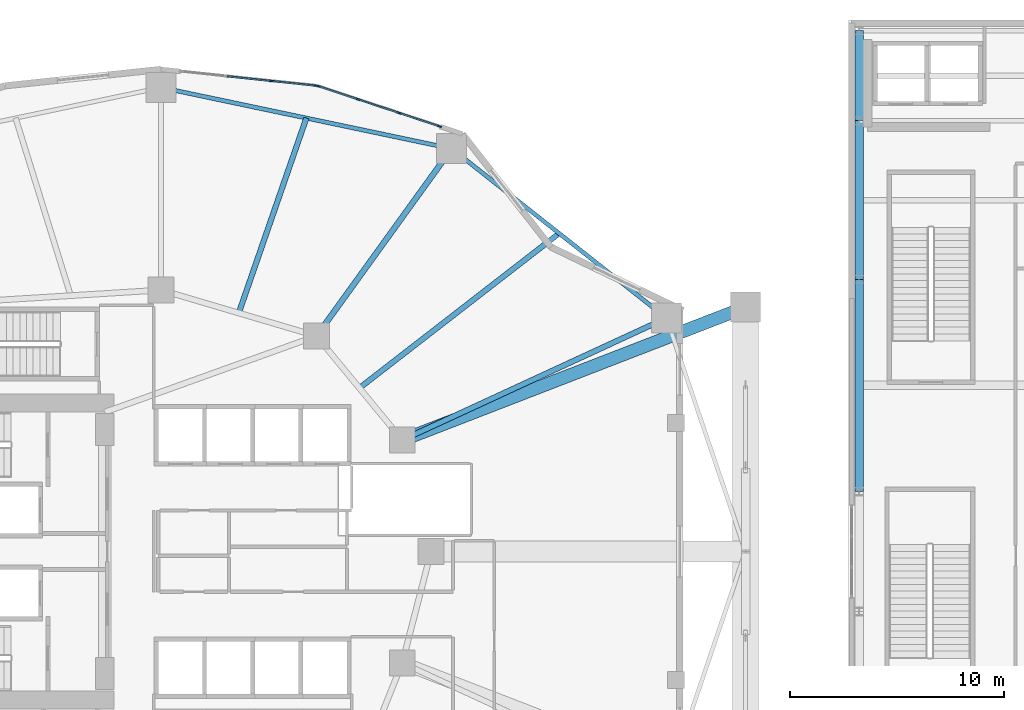
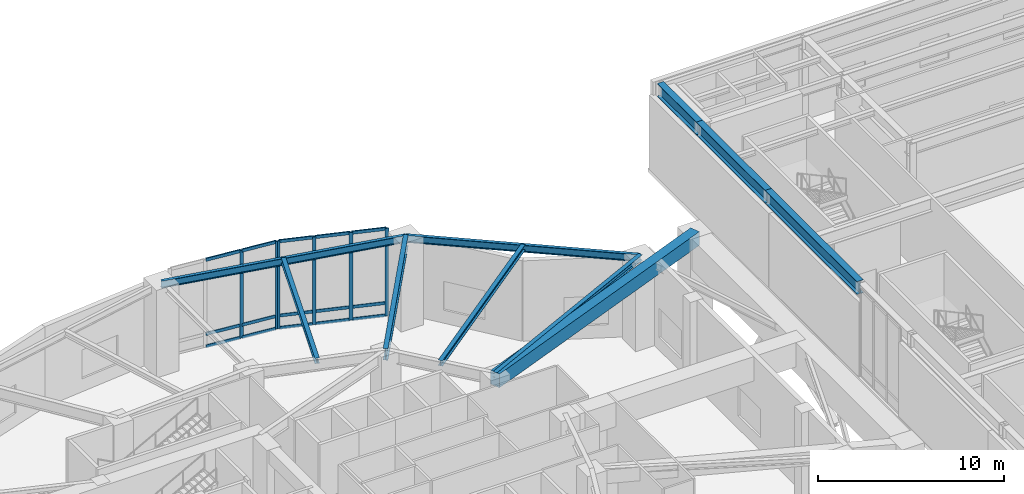
# One storey, part 9 of 25: 21 members, 10 beams, 2 elements without a shape of their own.
"""IFC4 building model written with IfcOpenShell, lengths in metres."""

from ifc_helpers import new_model, si_unit, direction, frame, origin, origin_2d, place, context, subcontext, project, spatial, rectangle, i_section, extrude, material, layer, layer_set, material_profile, profile_set, type_object, element, aggregate, save


model = new_model("IFC4")

# Units and contexts
model_context = context("Model", 3, precision=1e-05, world=origin(), true_north=direction((0.0, 1.0)))
body_context = subcontext(model_context, "Body", "Model", "MODEL_VIEW")
ifc_project = project(units=[si_unit("LENGTHUNIT", "METRE"), si_unit("AREAUNIT", "SQUARE_METRE"), si_unit("VOLUMEUNIT", "CUBIC_METRE"), si_unit("PLANEANGLEUNIT", "RADIAN"), si_unit("MASSUNIT", "GRAM", prefix="KILO")], contexts=[model_context])

# Site, building, storey
site_placement = place(None, origin())
site = spatial("IfcSite", under=ifc_project, at=site_placement, CompositionType="ELEMENT")
building_placement = place(site_placement, origin())
building = spatial("IfcBuilding", under=site, at=building_placement, Name="Kolvaren Gate Tower and Convention Centre", CompositionType="ELEMENT")
storey_placement = place(building_placement, frame((0.0, 0.0, 15.0)))
storey = spatial("IfcBuildingStorey", under=building, at=storey_placement, Name="L03", CompositionType="ELEMENT", Elevation=15.0)

# Curtain wall, members
ifc_material_1 = material(Name="Anodized Architectural Aluminium Alloy 6063-T6", Category="aluminium")
ifc_layer = layer(ifc_material_1, 0.179931640625)
ifc_layer_set = layer_set([ifc_layer], Name="Anodized Architectural Aluminium Alloy 6063-T6")
curtain_wall_type = type_object("IfcCurtainWallType", Name="CW-POD-GLZ", PredefinedType="NOTDEFINED", material=ifc_layer_set)
curtain_wall_1_placement = place(storey_placement, origin())
curtain_wall_1 = element("IfcCurtainWall", 1, at=curtain_wall_1_placement, inside=storey, type_object=curtain_wall_type, Name="Tower L03 Unitised Curtain Wall CW-POD-GLZ Bay 04", PredefinedType="NOTDEFINED")
ifc_material_profile_1 = material_profile(ifc_material_1, rectangle(XDim=0.074951171875, YDim=0.199951171875, at=origin_2d()), Name="CW-MEM-MUL-200")
ifc_profile_set_1 = profile_set([ifc_material_profile_1], Name="Anodized Architectural Aluminium Alloy 6063-T6")
member_type_1 = type_object("IfcMemberType", Name="CW-MEM-MUL-200", PredefinedType="MULLION", material=ifc_profile_set_1)
member_1_placement = place(storey_placement, frame((37.43994140625, 48.721435546875, 0.0), z_axis=(0.0, 0.0, 1.0), x_axis=(0.314541602786, 0.949243688479, 0.0)))
member_1 = element("IfcMember", 2, at=member_1_placement, type_object=member_type_1, Name="CW-01 mullion 1", PredefinedType="MULLION", context=body_context, shape_type="SweptSolid", body=[
    extrude(rectangle(XDim=0.074951171875, YDim=0.199951171875, at=origin_2d()), origin(), (0.0, 0.0, 1.0), 5.760009765625),
])
member_2_placement = place(storey_placement, frame((39.31884765625, 48.098876953125, 0.0), z_axis=(0.0, 0.0, 1.0), x_axis=(0.314541602786, 0.949243688479, 0.0)))
member_2 = element("IfcMember", 3, at=member_2_placement, type_object=member_type_1, Name="CW-01 mullion 2", PredefinedType="MULLION", context=body_context, shape_type="SweptSolid", body=[
    extrude(rectangle(XDim=0.074951171875, YDim=0.199951171875, at=origin_2d()), origin(), (0.0, 0.0, 1.0), 5.760009765625),
])
member_3_placement = place(storey_placement, frame((41.233642578125, 47.46435546875, 0.0), z_axis=(0.0, 0.0, 1.0), x_axis=(0.314541602786, 0.949243688479, 0.0)))
member_3 = element("IfcMember", 4, at=member_3_placement, type_object=member_type_1, Name="CW-01 mullion 3", PredefinedType="MULLION", context=body_context, shape_type="SweptSolid", body=[
    extrude(rectangle(XDim=0.074951171875, YDim=0.199951171875, at=origin_2d()), origin(), (0.0, 0.0, 1.0), 5.760009765625),
])
member_4_placement = place(storey_placement, frame((43.112548828125, 46.841796875, 0.0), z_axis=(0.0, 0.0, 1.0), x_axis=(0.314541602786, 0.949243688479, 0.0)))
member_4 = element("IfcMember", 5, at=member_4_placement, type_object=member_type_1, Name="CW-01 mullion 4", PredefinedType="MULLION", context=body_context, shape_type="SweptSolid", body=[
    extrude(rectangle(XDim=0.074951171875, YDim=0.199951171875, at=origin_2d()), origin(), (0.0, 0.0, 1.0), 5.760009765625),
])

curtain_wall_2_placement = place(storey_placement, origin())
curtain_wall_2 = element("IfcCurtainWall", 6, at=curtain_wall_2_placement, inside=storey, type_object=curtain_wall_type, Name="Tower L03 Unitised Curtain Wall CW-POD-GLZ Bay 05", PredefinedType="NOTDEFINED")
member_5_placement = place(storey_placement, frame((35.285888671875, 48.95654296875, 0.0), z_axis=(0.0, 0.0, 1.0), x_axis=(0.104748319841, 0.994498762941, 0.0)))
member_5 = element("IfcMember", 7, at=member_5_placement, type_object=member_type_1, Name="CW-01 mullion 3", PredefinedType="MULLION", context=body_context, shape_type="SweptSolid", body=[
    extrude(rectangle(XDim=0.074951171875, YDim=0.199951171875, at=origin_2d()), origin(), (0.0, 0.0, 1.0), 5.760009765625),
])
member_6_placement = place(storey_placement, frame((37.366943359375, 48.7373046875, 0.0), z_axis=(0.0, 0.0, 1.0), x_axis=(0.104748319841, 0.994498762941, 0.0)))
member_6 = element("IfcMember", 8, at=member_6_placement, type_object=member_type_1, Name="CW-01 mullion 4", PredefinedType="MULLION", context=body_context, shape_type="SweptSolid", body=[
    extrude(rectangle(XDim=0.074951171875, YDim=0.199951171875, at=origin_2d()), origin(), (0.0, 0.0, 1.0), 5.760009765625),
])

# Member
ifc_material_profile_2 = material_profile(ifc_material_1, rectangle(XDim=0.074951171875, YDim=0.199951171875, at=origin_2d()), Name="CW-MEM-TRN-200")
ifc_profile_set_2 = profile_set([ifc_material_profile_2], Name="Anodized Architectural Aluminium Alloy 6063-T6")
member_type_2 = type_object("IfcMemberType", Name="CW-MEM-TRN-200", PredefinedType="USERDEFINED", material=ifc_profile_set_2)
member_7_placement = place(storey_placement, frame((37.4755859375, 48.709716796875, 0.03759765625), z_axis=(0.949233065789, -0.314573658804, 0.0), x_axis=(0.314573658804, 0.949233065789, 0.0)))
member_7 = element("IfcMember", 9, at=member_7_placement, type_object=member_type_2, Name="CW-01 transom 1.1", ObjectType="TRANSOM", PredefinedType="USERDEFINED", context=body_context, shape_type="SweptSolid", body=[
    extrude(rectangle(XDim=0.074951171875, YDim=0.199951171875, at=origin_2d()), origin(), (0.0, 0.0, 1.0), 1.904541015625),
])

member_8_placement = place(storey_placement, frame((37.4755859375, 48.709716796875, 0.85009765625), z_axis=(0.949233065789, -0.314573658804, 0.0), x_axis=(0.314573658804, 0.949233065789, 0.0)))
member_8 = element("IfcMember", 10, at=member_8_placement, type_object=member_type_2, Name="CW-01 transom 1.2", ObjectType="TRANSOM", PredefinedType="USERDEFINED", context=body_context, shape_type="SweptSolid", body=[
    extrude(rectangle(XDim=0.074951171875, YDim=0.199951171875, at=origin_2d()), origin(), (0.0, 0.0, 1.0), 1.904541015625),
])

member_9_placement = place(storey_placement, frame((37.4755859375, 48.709716796875, 5.722412109375), z_axis=(0.949233065789, -0.314573658804, 0.0), x_axis=(0.314573658804, 0.949233065789, 0.0)))
member_9 = element("IfcMember", 11, at=member_9_placement, type_object=member_type_2, Name="CW-01 transom 1.3", ObjectType="TRANSOM", PredefinedType="USERDEFINED", context=body_context, shape_type="SweptSolid", body=[
    extrude(rectangle(XDim=0.074951171875, YDim=0.199951171875, at=origin_2d()), origin(), (0.0, 0.0, 1.0), 1.904541015625),
])

member_10_placement = place(storey_placement, frame((39.3544921875, 48.087158203125, 0.03759765625), z_axis=(0.949247481786, -0.314530154871, 0.0), x_axis=(0.314530154871, 0.949247481786, 0.0)))
member_10 = element("IfcMember", 12, at=member_10_placement, type_object=member_type_2, Name="CW-01 transom 2.1", ObjectType="TRANSOM", PredefinedType="USERDEFINED", context=body_context, shape_type="SweptSolid", body=[
    extrude(rectangle(XDim=0.074951171875, YDim=0.199951171875, at=origin_2d()), origin(), (0.0, 0.0, 1.0), 1.942138671875),
])

member_11_placement = place(storey_placement, frame((39.3544921875, 48.087158203125, 0.85009765625), z_axis=(0.949247481786, -0.314530154871, 0.0), x_axis=(0.314530154871, 0.949247481786, 0.0)))
member_11 = element("IfcMember", 13, at=member_11_placement, type_object=member_type_2, Name="CW-01 transom 2.2", ObjectType="TRANSOM", PredefinedType="USERDEFINED", context=body_context, shape_type="SweptSolid", body=[
    extrude(rectangle(XDim=0.074951171875, YDim=0.199951171875, at=origin_2d()), origin(), (0.0, 0.0, 1.0), 1.942138671875),
])

member_12_placement = place(storey_placement, frame((39.3544921875, 48.087158203125, 5.722412109375), z_axis=(0.949247481786, -0.314530154871, 0.0), x_axis=(0.314530154871, 0.949247481786, 0.0)))
member_12 = element("IfcMember", 14, at=member_12_placement, type_object=member_type_2, Name="CW-01 transom 2.3", ObjectType="TRANSOM", PredefinedType="USERDEFINED", context=body_context, shape_type="SweptSolid", body=[
    extrude(rectangle(XDim=0.074951171875, YDim=0.199951171875, at=origin_2d()), origin(), (0.0, 0.0, 1.0), 1.942138671875),
])

member_13_placement = place(storey_placement, frame((41.26904296875, 47.45263671875, 0.03759765625), z_axis=(0.949233065789, -0.314573658804, 0.0), x_axis=(0.314573658804, 0.949233065789, 0.0)))
member_13 = element("IfcMember", 15, at=member_13_placement, type_object=member_type_2, Name="CW-01 transom 3.1", ObjectType="TRANSOM", PredefinedType="USERDEFINED", context=body_context, shape_type="SweptSolid", body=[
    extrude(rectangle(XDim=0.074951171875, YDim=0.199951171875, at=origin_2d()), origin(), (0.0, 0.0, 1.0), 1.904541015625),
])

member_14_placement = place(storey_placement, frame((41.26904296875, 47.45263671875, 0.85009765625), z_axis=(0.949233065789, -0.314573658804, 0.0), x_axis=(0.314573658804, 0.949233065789, 0.0)))
member_14 = element("IfcMember", 16, at=member_14_placement, type_object=member_type_2, Name="CW-01 transom 3.2", ObjectType="TRANSOM", PredefinedType="USERDEFINED", context=body_context, shape_type="SweptSolid", body=[
    extrude(rectangle(XDim=0.074951171875, YDim=0.199951171875, at=origin_2d()), origin(), (0.0, 0.0, 1.0), 1.904541015625),
])

member_15_placement = place(storey_placement, frame((41.26904296875, 47.45263671875, 5.722412109375), z_axis=(0.949233065789, -0.314573658804, 0.0), x_axis=(0.314573658804, 0.949233065789, 0.0)))
member_15 = element("IfcMember", 17, at=member_15_placement, type_object=member_type_2, Name="CW-01 transom 3.3", ObjectType="TRANSOM", PredefinedType="USERDEFINED", context=body_context, shape_type="SweptSolid", body=[
    extrude(rectangle(XDim=0.074951171875, YDim=0.199951171875, at=origin_2d()), origin(), (0.0, 0.0, 1.0), 1.904541015625),
])

aggregate(curtain_wall_1, [member_1, member_2, member_3, member_4, member_7, member_8, member_9, member_10, member_11, member_12, member_13, member_14, member_15])

member_16_placement = place(storey_placement, frame((33.20458984375, 49.175537109375, 0.03759765625), z_axis=(0.994508706958, -0.104653866559, 0.0), x_axis=(0.104653866559, 0.994508706958, 0.0)))
member_16 = element("IfcMember", 18, at=member_16_placement, type_object=member_type_2, Name="CW-01 transom 2.1", ObjectType="TRANSOM", PredefinedType="USERDEFINED", context=body_context, shape_type="SweptSolid", body=[
    extrude(rectangle(XDim=0.074951171875, YDim=0.199951171875, at=origin_2d()), origin(), (0.0, 0.0, 1.0), 2.05517578125),
])

member_17_placement = place(storey_placement, frame((33.20458984375, 49.175537109375, 0.85009765625), z_axis=(0.994508706958, -0.104653866559, 0.0), x_axis=(0.104653866559, 0.994508706958, 0.0)))
member_17 = element("IfcMember", 19, at=member_17_placement, type_object=member_type_2, Name="CW-01 transom 2.2", ObjectType="TRANSOM", PredefinedType="USERDEFINED", context=body_context, shape_type="SweptSolid", body=[
    extrude(rectangle(XDim=0.074951171875, YDim=0.199951171875, at=origin_2d()), origin(), (0.0, 0.0, 1.0), 2.05517578125),
])

member_18_placement = place(storey_placement, frame((33.20458984375, 49.175537109375, 5.722412109375), z_axis=(0.994508706958, -0.104653866559, 0.0), x_axis=(0.104653866559, 0.994508706958, 0.0)))
member_18 = element("IfcMember", 20, at=member_18_placement, type_object=member_type_2, Name="CW-01 transom 2.3", ObjectType="TRANSOM", PredefinedType="USERDEFINED", context=body_context, shape_type="SweptSolid", body=[
    extrude(rectangle(XDim=0.074951171875, YDim=0.199951171875, at=origin_2d()), origin(), (0.0, 0.0, 1.0), 2.05517578125),
])

member_19_placement = place(storey_placement, frame((35.3232421875, 48.952392578125, 0.03759765625), z_axis=(0.9945074418, -0.104665888448, 0.0), x_axis=(0.104665888448, 0.9945074418, 0.0)))
member_19 = element("IfcMember", 21, at=member_19_placement, type_object=member_type_2, Name="CW-01 transom 3.1", ObjectType="TRANSOM", PredefinedType="USERDEFINED", context=body_context, shape_type="SweptSolid", body=[
    extrude(rectangle(XDim=0.074951171875, YDim=0.199951171875, at=origin_2d()), origin(), (0.0, 0.0, 1.0), 2.017578125),
])

member_20_placement = place(storey_placement, frame((35.3232421875, 48.952392578125, 0.85009765625), z_axis=(0.9945074418, -0.104665888448, 0.0), x_axis=(0.104665888448, 0.9945074418, 0.0)))
member_20 = element("IfcMember", 22, at=member_20_placement, type_object=member_type_2, Name="CW-01 transom 3.2", ObjectType="TRANSOM", PredefinedType="USERDEFINED", context=body_context, shape_type="SweptSolid", body=[
    extrude(rectangle(XDim=0.074951171875, YDim=0.199951171875, at=origin_2d()), origin(), (0.0, 0.0, 1.0), 2.017578125),
])

member_21_placement = place(storey_placement, frame((35.3232421875, 48.952392578125, 5.722412109375), z_axis=(0.9945074418, -0.104665888448, 0.0), x_axis=(0.104665888448, 0.9945074418, 0.0)))
member_21 = element("IfcMember", 23, at=member_21_placement, type_object=member_type_2, Name="CW-01 transom 3.3", ObjectType="TRANSOM", PredefinedType="USERDEFINED", context=body_context, shape_type="SweptSolid", body=[
    extrude(rectangle(XDim=0.074951171875, YDim=0.199951171875, at=origin_2d()), origin(), (0.0, 0.0, 1.0), 2.017578125),
])

aggregate(curtain_wall_2, [member_5, member_6, member_16, member_17, member_18, member_19, member_20, member_21])

# Beams
ifc_material_2 = material(Name="Structural steel ASTM A992 Grade 345 MPa", Category="steel")
ifc_material_profile_3 = material_profile(ifc_material_2, i_section(OverallWidth=0.26806640625, OverallDepth=0.758056640625, WebThickness=0.016357421875, FlangeThickness=0.025390625, at=origin_2d()), Name="W760X220")
ifc_profile_set_3 = profile_set([ifc_material_profile_3], Name="Structural steel ASTM A992 Grade 345 MPa")
beam_type_1 = type_object("IfcBeamType", Name="STR-BM-W760X220", PredefinedType="BEAM", material=ifc_profile_set_3)
beam_1_placement = place(storey_placement, frame((37.381591796875, 37.054931640625, 5.381103515625), z_axis=(0.585205244783, 0.81088520857, 0.0), x_axis=(-0.81088520857, 0.585205244783, 0.0)))
element("IfcBeam", 24, at=beam_1_placement, inside=storey, type_object=beam_type_1, Name="Tower L03 Radial Floor Girder RB-03", PredefinedType="BEAM", context=body_context, shape_type="SweptSolid", body=[
    extrude(i_section(OverallWidth=0.26806640625, OverallDepth=0.758056640625, WebThickness=0.016357421875, FlangeThickness=0.025390625, at=origin_2d()), origin(), (0.0, 0.0, 1.0), 10.780029296875),
])
ifc_material_profile_4 = material_profile(ifc_material_2, i_section(OverallWidth=0.39990234375, OverallDepth=0.85498046875, WebThickness=0.018310546875, FlangeThickness=0.029296875, at=origin_2d()), Name="W840X299")
ifc_profile_set_4 = profile_set([ifc_material_profile_4], Name="Structural steel ASTM A992 Grade 345 MPa")
beam_type_2 = type_object("IfcBeamType", Name="STR-BM-W840X299", PredefinedType="BEAM", material=ifc_profile_set_4)
beam_2_placement = place(storey_placement, frame((62.699951171875, 29.800048828125, 5.33251953125), z_axis=(0.0, 1.0, 0.0), x_axis=(-1.0, 0.0, 0.0)))
element("IfcBeam", 25, at=beam_2_placement, inside=storey, type_object=beam_type_2, Name="Convention L03 Longitudinal Girder CG-15", PredefinedType="BEAM", context=body_context, shape_type="SweptSolid", body=[
    extrude(i_section(OverallWidth=0.39990234375, OverallDepth=0.85498046875, WebThickness=0.018310546875, FlangeThickness=0.029296875, at=origin_2d()), origin(), (0.0, 0.0, 1.0), 9.89990234375),
])
beam_3_placement = place(storey_placement, frame((62.699951171875, 39.699951171875, 5.33251953125), z_axis=(0.0, 1.0, 0.0), x_axis=(-1.0, 0.0, 0.0)))
element("IfcBeam", 26, at=beam_3_placement, inside=storey, type_object=beam_type_2, Name="Convention L03 Longitudinal Girder CG-16", PredefinedType="BEAM", context=body_context, shape_type="SweptSolid", body=[
    extrude(i_section(OverallWidth=0.39990234375, OverallDepth=0.85498046875, WebThickness=0.018310546875, FlangeThickness=0.029296875, at=origin_2d()), origin(), (0.0, 0.0, 1.0), 7.400146484375),
])
beam_4_placement = place(storey_placement, frame((62.699951171875, 47.10009765625, 5.33251953125), z_axis=(0.0, 1.0, 0.0), x_axis=(-1.0, 0.0, 0.0)))
element("IfcBeam", 27, at=beam_4_placement, inside=storey, type_object=beam_type_2, Name="Convention L03 Longitudinal Girder CG-17", PredefinedType="BEAM", context=body_context, shape_type="SweptSolid", body=[
    extrude(i_section(OverallWidth=0.39990234375, OverallDepth=0.85498046875, WebThickness=0.018310546875, FlangeThickness=0.029296875, at=origin_2d()), origin(), (0.0, 0.0, 1.0), 4.199951171875),
])
ifc_material_profile_5 = material_profile(ifc_material_2, i_section(OverallWidth=0.2548828125, OverallDepth=0.35693359375, WebThickness=0.010498046875, FlangeThickness=0.018310546875, at=origin_2d()), Name="W360X101")
ifc_profile_set_5 = profile_set([ifc_material_profile_5], Name="Structural steel ASTM A992 Grade 345 MPa")
beam_type_3 = type_object("IfcBeamType", Name="STR-JS-W360X101", PredefinedType="JOIST", material=ifc_profile_set_5)
beam_5_placement = place(storey_placement, frame((41.382080078125, 32.199462890625, 5.58154296875), z_axis=(0.907842006347, 0.419312403241, 0.0), x_axis=(-0.419312403241, 0.907842006347, 0.0)))
element("IfcBeam", 28, at=beam_5_placement, inside=storey, type_object=beam_type_3, Name="Tower L03 Radial Floor Girder RB-02", PredefinedType="JOIST", context=body_context, shape_type="SweptSolid", body=[
    extrude(i_section(OverallWidth=0.2548828125, OverallDepth=0.35693359375, WebThickness=0.010498046875, FlangeThickness=0.018310546875, at=origin_2d()), origin(), (0.0, 0.0, 1.0), 13.57958984375),
])
beam_6_placement = place(storey_placement, frame((39.3818359375, 34.627197265625, 5.58154296875), z_axis=(0.790577493994, 0.612362005671, 0.0), x_axis=(-0.612362005671, 0.790577493994, 0.0)))
element("IfcBeam", 29, at=beam_6_placement, inside=storey, type_object=beam_type_3, Name="Tower L03 Secondary Composite Floor Joist J-02.1", PredefinedType="JOIST", context=body_context, shape_type="SweptSolid", body=[
    extrude(i_section(OverallWidth=0.2548828125, OverallDepth=0.35693359375, WebThickness=0.010498046875, FlangeThickness=0.018310546875, at=origin_2d()), origin(), (0.0, 0.0, 1.0), 11.786865234375),
])
beam_7_placement = place(storey_placement, frame((33.75341796875, 38.12744140625, 5.58154296875), z_axis=(0.327647050942, 0.944800195813, 0.0), x_axis=(-0.944800195813, 0.327647050942, 0.0)))
element("IfcBeam", 30, at=beam_7_placement, inside=storey, type_object=beam_type_3, Name="Tower L03 Secondary Composite Floor Joist J-03.1", PredefinedType="JOIST", context=body_context, shape_type="SweptSolid", body=[
    extrude(i_section(OverallWidth=0.2548828125, OverallDepth=0.35693359375, WebThickness=0.010498046875, FlangeThickness=0.018310546875, at=origin_2d()), origin(), (0.0, 0.0, 1.0), 9.627197265625),
])
ifc_material_profile_6 = material_profile(ifc_material_2, i_section(OverallWidth=0.194091796875, OverallDepth=0.468994140625, WebThickness=0.0126953125, FlangeThickness=0.0205078125, at=origin_2d()), Name="W460X106")
ifc_profile_set_6 = profile_set([ifc_material_profile_6], Name="Structural steel ASTM A992 Grade 345 MPa")
beam_type_4 = type_object("IfcBeamType", Name="STR-SP-W460X106", PredefinedType="SPANDREL", material=ifc_profile_set_6)
beam_8_placement = place(storey_placement, frame((53.710205078125, 37.8935546875, 5.525390625), z_axis=(-0.785176498861, 0.619272044933, 0.0), x_axis=(-0.619272044933, -0.785176498861, 0.0)))
element("IfcBeam", 31, at=beam_8_placement, inside=storey, type_object=beam_type_4, Name="Tower L03 Perimeter Spandrel Beam SP-02", PredefinedType="SPANDREL", context=body_context, shape_type="SweptSolid", body=[
    extrude(i_section(OverallWidth=0.194091796875, OverallDepth=0.468994140625, WebThickness=0.0126953125, FlangeThickness=0.0205078125, at=origin_2d()), origin(), (0.0, 0.0, 1.0), 12.761474609375),
])
beam_9_placement = place(storey_placement, frame((43.690185546875, 45.79638671875, 5.525390625), z_axis=(-0.978583407863, 0.205850707685, 0.0), x_axis=(-0.205850707685, -0.978583407863, 0.0)))
element("IfcBeam", 32, at=beam_9_placement, inside=storey, type_object=beam_type_4, Name="Tower L03 Perimeter Spandrel Beam SP-03", PredefinedType="SPANDREL", context=body_context, shape_type="SweptSolid", body=[
    extrude(i_section(OverallWidth=0.194091796875, OverallDepth=0.468994140625, WebThickness=0.0126953125, FlangeThickness=0.0205078125, at=origin_2d()), origin(), (0.0, 0.0, 1.0), 13.862060546875),
])
ifc_material_3 = material(Name="Concrete C60/75", Category="concrete")
ifc_material_profile_7 = material_profile(ifc_material_3, rectangle(XDim=0.60009765625, YDim=0.89990234375, at=origin_2d()), Name="RC-BM-600X900")
ifc_profile_set_7 = profile_set([ifc_material_profile_7], Name="Concrete C60/75")
beam_type_5 = type_object("IfcBeamType", Name="STR-TB-RC600X900", PredefinedType="USERDEFINED", material=ifc_profile_set_7)
beam_10_placement = place(storey_placement, frame((57.39990234375, 38.39990234375, 5.31005859375), z_axis=(-0.932568252635, -0.360993703793, 0.0), x_axis=(0.360993703793, -0.932568252635, 0.0)))
element("IfcBeam", 33, at=beam_10_placement, inside=storey, type_object=beam_type_5, Name="Diaphragm Collector Tie Beam ATB-05", ObjectType="TIE BEAM", PredefinedType="USERDEFINED", context=body_context, shape_type="SweptSolid", body=[
    extrude(rectangle(XDim=0.60009765625, YDim=0.89990234375, at=origin_2d()), origin(), (0.0, 0.0, 1.0), 17.176025390625),
])

save(model, "model.ifc")
